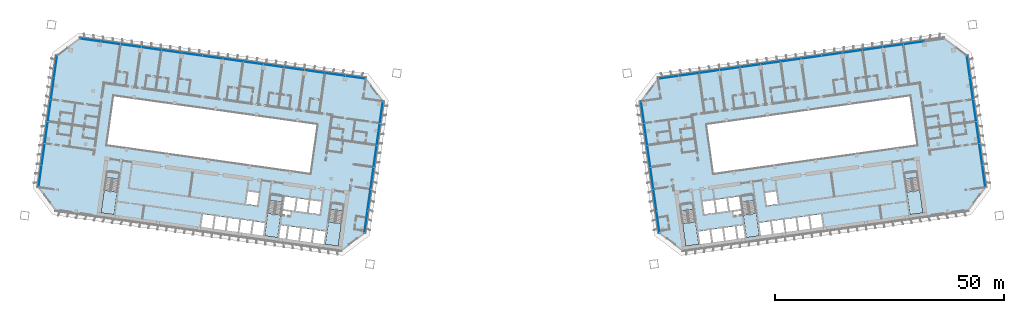
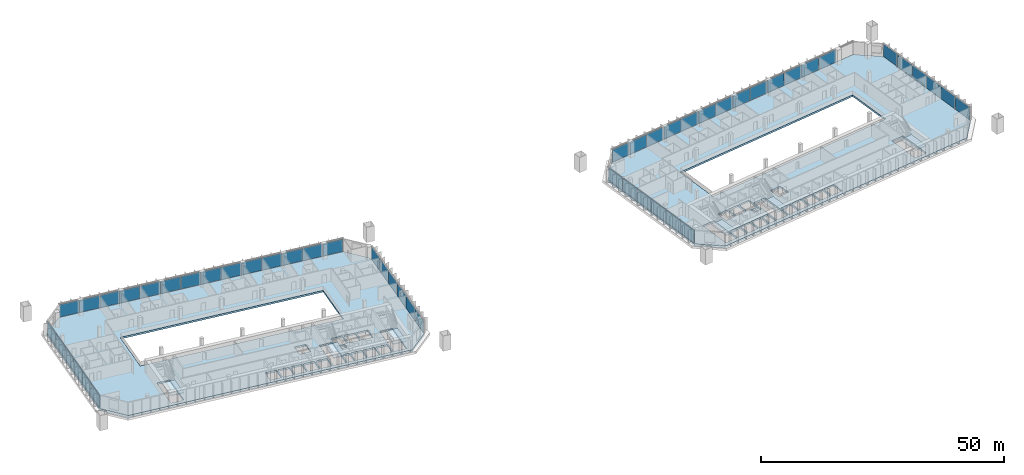
# One storey, part 12 of 24: 51 plates, 8 slabs, 12 elements without a shape of their own.
"""IFC4 building model written with IfcOpenShell, lengths in metres."""

from ifc_helpers import new_model, si_unit, direction, frame, origin, origin_2d, place, context, subcontext, project, spatial, polyline, rectangle, outline, extrude, material, layer, layer_set, type_object, element, aggregate, save


model = new_model("IFC4")

# Units and contexts
model_context = context("Model", 3, precision=1e-05, world=origin(), true_north=direction((0.0, 1.0)))
body_context = subcontext(model_context, "Body", "Model", "MODEL_VIEW")
ifc_project = project(units=[si_unit("LENGTHUNIT", "METRE"), si_unit("AREAUNIT", "SQUARE_METRE"), si_unit("VOLUMEUNIT", "CUBIC_METRE"), si_unit("PLANEANGLEUNIT", "RADIAN"), si_unit("MASSUNIT", "GRAM", prefix="KILO")], contexts=[model_context])

# Site, building, storey
site_placement = place(None, origin())
site = spatial("IfcSite", under=ifc_project, at=site_placement, CompositionType="ELEMENT")
building_placement = place(site_placement, origin())
building = spatial("IfcBuilding", under=site, at=building_placement, Name="Mirante Cascada Hotel Towers", CompositionType="ELEMENT")
storey_placement = place(building_placement, frame((0.0, 0.0, 47.1)))
storey = spatial("IfcBuildingStorey", under=building, at=storey_placement, Name="L08", CompositionType="ELEMENT", Elevation=47.1)

# Curtain wall, plates
ifc_material_1 = material(Name="Aluminium mullion and transom frame with clear laminated glass", Category="aluminium")
curtain_wall_type_1 = type_object("IfcCurtainWallType", Name="Ribbon curtain wall ECW1", PredefinedType="NOTDEFINED", material=ifc_material_1)
curtain_wall_1_placement = place(storey_placement, origin())
curtain_wall_1 = element("IfcCurtainWall", 1, at=curtain_wall_1_placement, inside=storey, type_object=curtain_wall_type_1, Name="Front ribbon wall T1 L08", PredefinedType="NOTDEFINED")
ifc_material_2 = material(Name="Clear laminated glass", Category="glass")
ifc_layer_1 = layer(ifc_material_2, 0.036)
ifc_layer_set_1 = layer_set([ifc_layer_1], Name="ECW1 glass panel 36")
plate_type_1 = type_object("IfcPlateType", Name="ECW1 glass panel 36", PredefinedType="CURTAIN_PANEL", material=ifc_layer_set_1)
plate_1_placement = place(storey_placement, frame((-91.9184, 25.7373, 0.1), z_axis=(0.0, 0.0, 1.0), x_axis=(0.9902681, -0.1391731, 0.0)))
plate_1 = element("IfcPlate", 2, at=plate_1_placement, type_object=plate_type_1, Name="ECW1 panel 1", PredefinedType="CURTAIN_PANEL", context=body_context, shape_type="SweptSolid", body=[
    extrude(rectangle(XDim=4.3936, YDim=0.036, at=origin_2d()), origin(), (0.0, 0.0, 1.0), 3.15),
])
plate_2_placement = place(storey_placement, frame((-87.487, 25.1145, 0.1), z_axis=(0.0, 0.0, 1.0), x_axis=(0.9902681, -0.1391731, 0.0)))
plate_2 = element("IfcPlate", 3, at=plate_2_placement, type_object=plate_type_1, Name="ECW1 panel 2", PredefinedType="CURTAIN_PANEL", context=body_context, shape_type="SweptSolid", body=[
    extrude(rectangle(XDim=4.4261, YDim=0.036, at=origin_2d()), origin(), (0.0, 0.0, 1.0), 3.15),
])
plate_3_placement = place(storey_placement, frame((-83.0396, 24.4895, 0.1), z_axis=(0.0, 0.0, 1.0), x_axis=(0.9902681, -0.1391731, 0.0)))
plate_3 = element("IfcPlate", 4, at=plate_3_placement, type_object=plate_type_1, Name="ECW1 panel 3", PredefinedType="CURTAIN_PANEL", context=body_context, shape_type="SweptSolid", body=[
    extrude(rectangle(XDim=4.4261, YDim=0.036, at=origin_2d()), origin(), (0.0, 0.0, 1.0), 3.15),
])
plate_4_placement = place(storey_placement, frame((-78.5922, 23.8644, 0.1), z_axis=(0.0, 0.0, 1.0), x_axis=(0.9902681, -0.1391731, 0.0)))
plate_4 = element("IfcPlate", 5, at=plate_4_placement, type_object=plate_type_1, Name="ECW1 panel 4", PredefinedType="CURTAIN_PANEL", context=body_context, shape_type="SweptSolid", body=[
    extrude(rectangle(XDim=4.4261, YDim=0.036, at=origin_2d()), origin(), (0.0, 0.0, 1.0), 3.15),
])
plate_5_placement = place(storey_placement, frame((-74.1448, 23.2394, 0.1), z_axis=(0.0, 0.0, 1.0), x_axis=(0.9902681, -0.1391731, 0.0)))
plate_5 = element("IfcPlate", 6, at=plate_5_placement, type_object=plate_type_1, Name="ECW1 panel 5", PredefinedType="CURTAIN_PANEL", context=body_context, shape_type="SweptSolid", body=[
    extrude(rectangle(XDim=4.4261, YDim=0.036, at=origin_2d()), origin(), (0.0, 0.0, 1.0), 3.15),
])
plate_6_placement = place(storey_placement, frame((-69.6974, 22.6144, 0.1), z_axis=(0.0, 0.0, 1.0), x_axis=(0.9902681, -0.1391731, 0.0)))
plate_6 = element("IfcPlate", 7, at=plate_6_placement, type_object=plate_type_1, Name="ECW1 panel 6", PredefinedType="CURTAIN_PANEL", context=body_context, shape_type="SweptSolid", body=[
    extrude(rectangle(XDim=4.4261, YDim=0.036, at=origin_2d()), origin(), (0.0, 0.0, 1.0), 3.15),
])
plate_7_placement = place(storey_placement, frame((-65.2499, 21.9893, 0.1), z_axis=(0.0, 0.0, 1.0), x_axis=(0.9902681, -0.1391731, 0.0)))
plate_7 = element("IfcPlate", 8, at=plate_7_placement, type_object=plate_type_1, Name="ECW1 panel 7", PredefinedType="CURTAIN_PANEL", context=body_context, shape_type="SweptSolid", body=[
    extrude(rectangle(XDim=4.4261, YDim=0.036, at=origin_2d()), origin(), (0.0, 0.0, 1.0), 3.15),
])
plate_8_placement = place(storey_placement, frame((-60.8025, 21.3643, 0.1), z_axis=(0.0, 0.0, 1.0), x_axis=(0.9902681, -0.1391731, 0.0)))
plate_8 = element("IfcPlate", 9, at=plate_8_placement, type_object=plate_type_1, Name="ECW1 panel 8", PredefinedType="CURTAIN_PANEL", context=body_context, shape_type="SweptSolid", body=[
    extrude(rectangle(XDim=4.4261, YDim=0.036, at=origin_2d()), origin(), (0.0, 0.0, 1.0), 3.15),
])
plate_9_placement = place(storey_placement, frame((-56.3551, 20.7392, 0.1), z_axis=(0.0, 0.0, 1.0), x_axis=(0.9902681, -0.1391731, 0.0)))
plate_9 = element("IfcPlate", 10, at=plate_9_placement, type_object=plate_type_1, Name="ECW1 panel 9", PredefinedType="CURTAIN_PANEL", context=body_context, shape_type="SweptSolid", body=[
    extrude(rectangle(XDim=4.4261, YDim=0.036, at=origin_2d()), origin(), (0.0, 0.0, 1.0), 3.15),
])
plate_10_placement = place(storey_placement, frame((-51.9077, 20.1142, 0.1), z_axis=(0.0, 0.0, 1.0), x_axis=(0.9902681, -0.1391731, 0.0)))
plate_10 = element("IfcPlate", 11, at=plate_10_placement, type_object=plate_type_1, Name="ECW1 panel 10", PredefinedType="CURTAIN_PANEL", context=body_context, shape_type="SweptSolid", body=[
    extrude(rectangle(XDim=4.4261, YDim=0.036, at=origin_2d()), origin(), (0.0, 0.0, 1.0), 3.15),
])
plate_11_placement = place(storey_placement, frame((-47.4603, 19.4891, 0.1), z_axis=(0.0, 0.0, 1.0), x_axis=(0.9902681, -0.1391731, 0.0)))
plate_11 = element("IfcPlate", 12, at=plate_11_placement, type_object=plate_type_1, Name="ECW1 panel 11", PredefinedType="CURTAIN_PANEL", context=body_context, shape_type="SweptSolid", body=[
    extrude(rectangle(XDim=4.4261, YDim=0.036, at=origin_2d()), origin(), (0.0, 0.0, 1.0), 3.15),
])
plate_12_placement = place(storey_placement, frame((-43.0129, 18.8641, 0.1), z_axis=(0.0, 0.0, 1.0), x_axis=(0.9902681, -0.1391731, 0.0)))
plate_12 = element("IfcPlate", 13, at=plate_12_placement, type_object=plate_type_1, Name="ECW1 panel 12", PredefinedType="CURTAIN_PANEL", context=body_context, shape_type="SweptSolid", body=[
    extrude(rectangle(XDim=4.4261, YDim=0.036, at=origin_2d()), origin(), (0.0, 0.0, 1.0), 3.15),
])
plate_13_placement = place(storey_placement, frame((-38.5654, 18.239, 0.1), z_axis=(0.0, 0.0, 1.0), x_axis=(0.9902681, -0.1391731, 0.0)))
plate_13 = element("IfcPlate", 14, at=plate_13_placement, type_object=plate_type_1, Name="ECW1 panel 13", PredefinedType="CURTAIN_PANEL", context=body_context, shape_type="SweptSolid", body=[
    extrude(rectangle(XDim=4.4261, YDim=0.036, at=origin_2d()), origin(), (0.0, 0.0, 1.0), 3.15),
])
plate_14_placement = place(storey_placement, frame((-34.1341, 17.6163, 0.1), z_axis=(0.0, 0.0, 1.0), x_axis=(0.9902681, -0.1391731, 0.0)))
plate_14 = element("IfcPlate", 15, at=plate_14_placement, type_object=plate_type_1, Name="ECW1 panel 14", PredefinedType="CURTAIN_PANEL", context=body_context, shape_type="SweptSolid", body=[
    extrude(rectangle(XDim=4.3936, YDim=0.036, at=origin_2d()), origin(), (0.0, 0.0, 1.0), 3.15),
])
aggregate(curtain_wall_1, [plate_1, plate_2, plate_3, plate_4, plate_5, plate_6, plate_7, plate_8, plate_9, plate_10, plate_11, plate_12, plate_13, plate_14])

curtain_wall_2_placement = place(storey_placement, origin())
curtain_wall_2 = element("IfcCurtainWall", 16, at=curtain_wall_2_placement, inside=storey, type_object=curtain_wall_type_1, Name="Front ribbon wall T2 L08", PredefinedType="NOTDEFINED")
plate_15_placement = place(storey_placement, frame((87.487, 25.1145, 0.1), z_axis=(0.0, 0.0, 1.0), x_axis=(-0.9902681, -0.1391731, 0.0)))
plate_15 = element("IfcPlate", 17, at=plate_15_placement, type_object=plate_type_1, Name="ECW1 panel 2", PredefinedType="CURTAIN_PANEL", context=body_context, shape_type="SweptSolid", body=[
    extrude(rectangle(XDim=4.4261, YDim=0.036, at=origin_2d()), origin(), (0.0, 0.0, 1.0), 3.15),
])
plate_16_placement = place(storey_placement, frame((83.0396, 24.4895, 0.1), z_axis=(0.0, 0.0, 1.0), x_axis=(-0.9902681, -0.1391731, 0.0)))
plate_16 = element("IfcPlate", 18, at=plate_16_placement, type_object=plate_type_1, Name="ECW1 panel 3", PredefinedType="CURTAIN_PANEL", context=body_context, shape_type="SweptSolid", body=[
    extrude(rectangle(XDim=4.4261, YDim=0.036, at=origin_2d()), origin(), (0.0, 0.0, 1.0), 3.15),
])
plate_17_placement = place(storey_placement, frame((78.5922, 23.8644, 0.1), z_axis=(0.0, 0.0, 1.0), x_axis=(-0.9902681, -0.1391731, 0.0)))
plate_17 = element("IfcPlate", 19, at=plate_17_placement, type_object=plate_type_1, Name="ECW1 panel 4", PredefinedType="CURTAIN_PANEL", context=body_context, shape_type="SweptSolid", body=[
    extrude(rectangle(XDim=4.4261, YDim=0.036, at=origin_2d()), origin(), (0.0, 0.0, 1.0), 3.15),
])
plate_18_placement = place(storey_placement, frame((74.1448, 23.2394, 0.1), z_axis=(0.0, 0.0, 1.0), x_axis=(-0.9902681, -0.1391731, 0.0)))
plate_18 = element("IfcPlate", 20, at=plate_18_placement, type_object=plate_type_1, Name="ECW1 panel 5", PredefinedType="CURTAIN_PANEL", context=body_context, shape_type="SweptSolid", body=[
    extrude(rectangle(XDim=4.4261, YDim=0.036, at=origin_2d()), origin(), (0.0, 0.0, 1.0), 3.15),
])
plate_19_placement = place(storey_placement, frame((69.6974, 22.6144, 0.1), z_axis=(0.0, 0.0, 1.0), x_axis=(-0.9902681, -0.1391731, 0.0)))
plate_19 = element("IfcPlate", 21, at=plate_19_placement, type_object=plate_type_1, Name="ECW1 panel 6", PredefinedType="CURTAIN_PANEL", context=body_context, shape_type="SweptSolid", body=[
    extrude(rectangle(XDim=4.4261, YDim=0.036, at=origin_2d()), origin(), (0.0, 0.0, 1.0), 3.15),
])
plate_20_placement = place(storey_placement, frame((65.2499, 21.9893, 0.1), z_axis=(0.0, 0.0, 1.0), x_axis=(-0.9902681, -0.1391731, 0.0)))
plate_20 = element("IfcPlate", 22, at=plate_20_placement, type_object=plate_type_1, Name="ECW1 panel 7", PredefinedType="CURTAIN_PANEL", context=body_context, shape_type="SweptSolid", body=[
    extrude(rectangle(XDim=4.4261, YDim=0.036, at=origin_2d()), origin(), (0.0, 0.0, 1.0), 3.15),
])
plate_21_placement = place(storey_placement, frame((60.8025, 21.3643, 0.1), z_axis=(0.0, 0.0, 1.0), x_axis=(-0.9902681, -0.1391731, 0.0)))
plate_21 = element("IfcPlate", 23, at=plate_21_placement, type_object=plate_type_1, Name="ECW1 panel 8", PredefinedType="CURTAIN_PANEL", context=body_context, shape_type="SweptSolid", body=[
    extrude(rectangle(XDim=4.4261, YDim=0.036, at=origin_2d()), origin(), (0.0, 0.0, 1.0), 3.15),
])
plate_22_placement = place(storey_placement, frame((56.3551, 20.7392, 0.1), z_axis=(0.0, 0.0, 1.0), x_axis=(-0.9902681, -0.1391731, 0.0)))
plate_22 = element("IfcPlate", 24, at=plate_22_placement, type_object=plate_type_1, Name="ECW1 panel 9", PredefinedType="CURTAIN_PANEL", context=body_context, shape_type="SweptSolid", body=[
    extrude(rectangle(XDim=4.4261, YDim=0.036, at=origin_2d()), origin(), (0.0, 0.0, 1.0), 3.15),
])
plate_23_placement = place(storey_placement, frame((51.9077, 20.1142, 0.1), z_axis=(0.0, 0.0, 1.0), x_axis=(-0.9902681, -0.1391731, 0.0)))
plate_23 = element("IfcPlate", 25, at=plate_23_placement, type_object=plate_type_1, Name="ECW1 panel 10", PredefinedType="CURTAIN_PANEL", context=body_context, shape_type="SweptSolid", body=[
    extrude(rectangle(XDim=4.4261, YDim=0.036, at=origin_2d()), origin(), (0.0, 0.0, 1.0), 3.15),
])
plate_24_placement = place(storey_placement, frame((47.4603, 19.4891, 0.1), z_axis=(0.0, 0.0, 1.0), x_axis=(-0.9902681, -0.1391731, 0.0)))
plate_24 = element("IfcPlate", 26, at=plate_24_placement, type_object=plate_type_1, Name="ECW1 panel 11", PredefinedType="CURTAIN_PANEL", context=body_context, shape_type="SweptSolid", body=[
    extrude(rectangle(XDim=4.4261, YDim=0.036, at=origin_2d()), origin(), (0.0, 0.0, 1.0), 3.15),
])
plate_25_placement = place(storey_placement, frame((43.0129, 18.8641, 0.1), z_axis=(0.0, 0.0, 1.0), x_axis=(-0.9902681, -0.1391731, 0.0)))
plate_25 = element("IfcPlate", 27, at=plate_25_placement, type_object=plate_type_1, Name="ECW1 panel 12", PredefinedType="CURTAIN_PANEL", context=body_context, shape_type="SweptSolid", body=[
    extrude(rectangle(XDim=4.4261, YDim=0.036, at=origin_2d()), origin(), (0.0, 0.0, 1.0), 3.15),
])
plate_26_placement = place(storey_placement, frame((38.5654, 18.239, 0.1), z_axis=(0.0, 0.0, 1.0), x_axis=(-0.9902681, -0.1391731, 0.0)))
plate_26 = element("IfcPlate", 28, at=plate_26_placement, type_object=plate_type_1, Name="ECW1 panel 13", PredefinedType="CURTAIN_PANEL", context=body_context, shape_type="SweptSolid", body=[
    extrude(rectangle(XDim=4.4261, YDim=0.036, at=origin_2d()), origin(), (0.0, 0.0, 1.0), 3.15),
])
plate_27_placement = place(storey_placement, frame((34.1341, 17.6163, 0.1), z_axis=(0.0, 0.0, 1.0), x_axis=(-0.9902681, -0.1391731, 0.0)))
plate_27 = element("IfcPlate", 29, at=plate_27_placement, type_object=plate_type_1, Name="ECW1 panel 14", PredefinedType="CURTAIN_PANEL", context=body_context, shape_type="SweptSolid", body=[
    extrude(rectangle(XDim=4.3936, YDim=0.036, at=origin_2d()), origin(), (0.0, 0.0, 1.0), 3.15),
])
aggregate(curtain_wall_2, [plate_15, plate_16, plate_17, plate_18, plate_19, plate_20, plate_21, plate_22, plate_23, plate_24, plate_25, plate_26, plate_27])

ifc_material_3 = material(Name="Aluminium mullion and transom frame with clear laminated glass", Category="aluminium")
curtain_wall_type_2 = type_object("IfcCurtainWallType", Name="End ribbon curtain wall ECW2", PredefinedType="NOTDEFINED", material=ifc_material_3)
curtain_wall_3_placement = place(storey_placement, origin())
curtain_wall_3 = element("IfcCurtainWall", 30, at=curtain_wall_3_placement, inside=storey, type_object=curtain_wall_type_2, Name="Inner end wall T1 L08", PredefinedType="NOTDEFINED")
ifc_material_4 = material(Name="Clear laminated glass", Category="glass")
ifc_layer_2 = layer(ifc_material_4, 0.034)
ifc_layer_set_2 = layer_set([ifc_layer_2], Name="ECW2 glass panel 34")
plate_type_2 = type_object("IfcPlateType", Name="ECW2 glass panel 34", PredefinedType="CURTAIN_PANEL", material=ifc_layer_set_2)
plate_28_placement = place(storey_placement, frame((-28.4763, 9.9193, 0.1), z_axis=(0.0, 0.0, 1.0), x_axis=(-0.1391731, -0.9902681, 0.0)))
plate_28 = element("IfcPlate", 31, at=plate_28_placement, type_object=plate_type_2, Name="ECW2 panel 1", PredefinedType="CURTAIN_PANEL", context=body_context, shape_type="SweptSolid", body=[
    extrude(rectangle(XDim=4.7151, YDim=0.034, at=origin_2d()), origin(), (0.0, 0.0, 1.0), 3.15),
])
plate_29_placement = place(storey_placement, frame((-29.1439, 5.1696, 0.1), z_axis=(0.0, 0.0, 1.0), x_axis=(-0.1391731, -0.9902681, 0.0)))
plate_29 = element("IfcPlate", 32, at=plate_29_placement, type_object=plate_type_2, Name="ECW2 panel 2", PredefinedType="CURTAIN_PANEL", context=body_context, shape_type="SweptSolid", body=[
    extrude(rectangle(XDim=4.7476, YDim=0.034, at=origin_2d()), origin(), (0.0, 0.0, 1.0), 3.15),
])
plate_30_placement = place(storey_placement, frame((-29.8136, 0.4038, 0.1), z_axis=(0.0, 0.0, 1.0), x_axis=(-0.1391731, -0.9902681, 0.0)))
plate_30 = element("IfcPlate", 33, at=plate_30_placement, type_object=plate_type_2, Name="ECW2 panel 3", PredefinedType="CURTAIN_PANEL", context=body_context, shape_type="SweptSolid", body=[
    extrude(rectangle(XDim=4.7476, YDim=0.034, at=origin_2d()), origin(), (0.0, 0.0, 1.0), 3.15),
])
plate_31_placement = place(storey_placement, frame((-30.4834, -4.362, 0.1), z_axis=(0.0, 0.0, 1.0), x_axis=(-0.1391731, -0.9902681, 0.0)))
plate_31 = element("IfcPlate", 34, at=plate_31_placement, type_object=plate_type_2, Name="ECW2 panel 4", PredefinedType="CURTAIN_PANEL", context=body_context, shape_type="SweptSolid", body=[
    extrude(rectangle(XDim=4.7476, YDim=0.034, at=origin_2d()), origin(), (0.0, 0.0, 1.0), 3.15),
])
plate_32_placement = place(storey_placement, frame((-31.1532, -9.1278, 0.1), z_axis=(0.0, 0.0, 1.0), x_axis=(-0.1391731, -0.9902681, 0.0)))
plate_32 = element("IfcPlate", 35, at=plate_32_placement, type_object=plate_type_2, Name="ECW2 panel 5", PredefinedType="CURTAIN_PANEL", context=body_context, shape_type="SweptSolid", body=[
    extrude(rectangle(XDim=4.7476, YDim=0.034, at=origin_2d()), origin(), (0.0, 0.0, 1.0), 3.15),
])
plate_33_placement = place(storey_placement, frame((-31.8207, -13.8775, 0.1), z_axis=(0.0, 0.0, 1.0), x_axis=(-0.1391731, -0.9902681, 0.0)))
plate_33 = element("IfcPlate", 36, at=plate_33_placement, type_object=plate_type_2, Name="ECW2 panel 6", PredefinedType="CURTAIN_PANEL", context=body_context, shape_type="SweptSolid", body=[
    extrude(rectangle(XDim=4.7151, YDim=0.034, at=origin_2d()), origin(), (0.0, 0.0, 1.0), 3.15),
])
aggregate(curtain_wall_3, [plate_28, plate_29, plate_30, plate_31, plate_32, plate_33])

curtain_wall_4_placement = place(storey_placement, origin())
curtain_wall_4 = element("IfcCurtainWall", 37, at=curtain_wall_4_placement, inside=storey, type_object=curtain_wall_type_2, Name="Outer end wall T1 L08", PredefinedType="NOTDEFINED")
plate_34_placement = place(storey_placement, frame((-102.823, -3.8988, 0.1), z_axis=(0.0, 0.0, 1.0), x_axis=(0.1391731, 0.9902681, 0.0)))
plate_34 = element("IfcPlate", 38, at=plate_34_placement, type_object=plate_type_2, Name="ECW2 panel 1", PredefinedType="CURTAIN_PANEL", context=body_context, shape_type="SweptSolid", body=[
    extrude(rectangle(XDim=4.7151, YDim=0.034, at=origin_2d()), origin(), (0.0, 0.0, 1.0), 3.15),
])
plate_35_placement = place(storey_placement, frame((-102.1554, 0.8509, 0.1), z_axis=(0.0, 0.0, 1.0), x_axis=(0.1391731, 0.9902681, 0.0)))
plate_35 = element("IfcPlate", 39, at=plate_35_placement, type_object=plate_type_2, Name="ECW2 panel 2", PredefinedType="CURTAIN_PANEL", context=body_context, shape_type="SweptSolid", body=[
    extrude(rectangle(XDim=4.7476, YDim=0.034, at=origin_2d()), origin(), (0.0, 0.0, 1.0), 3.15),
])
plate_36_placement = place(storey_placement, frame((-101.4857, 5.6167, 0.1), z_axis=(0.0, 0.0, 1.0), x_axis=(0.1391731, 0.9902681, 0.0)))
plate_36 = element("IfcPlate", 40, at=plate_36_placement, type_object=plate_type_2, Name="ECW2 panel 3", PredefinedType="CURTAIN_PANEL", context=body_context, shape_type="SweptSolid", body=[
    extrude(rectangle(XDim=4.7476, YDim=0.034, at=origin_2d()), origin(), (0.0, 0.0, 1.0), 3.15),
])
plate_37_placement = place(storey_placement, frame((-100.8159, 10.3825, 0.1), z_axis=(0.0, 0.0, 1.0), x_axis=(0.1391731, 0.9902681, 0.0)))
plate_37 = element("IfcPlate", 41, at=plate_37_placement, type_object=plate_type_2, Name="ECW2 panel 4", PredefinedType="CURTAIN_PANEL", context=body_context, shape_type="SweptSolid", body=[
    extrude(rectangle(XDim=4.7476, YDim=0.034, at=origin_2d()), origin(), (0.0, 0.0, 1.0), 3.15),
])
plate_38_placement = place(storey_placement, frame((-100.1461, 15.1483, 0.1), z_axis=(0.0, 0.0, 1.0), x_axis=(0.1391731, 0.9902681, 0.0)))
plate_38 = element("IfcPlate", 42, at=plate_38_placement, type_object=plate_type_2, Name="ECW2 panel 5", PredefinedType="CURTAIN_PANEL", context=body_context, shape_type="SweptSolid", body=[
    extrude(rectangle(XDim=4.7476, YDim=0.034, at=origin_2d()), origin(), (0.0, 0.0, 1.0), 3.15),
])
plate_39_placement = place(storey_placement, frame((-99.4786, 19.898, 0.1), z_axis=(0.0, 0.0, 1.0), x_axis=(0.1391731, 0.9902681, 0.0)))
plate_39 = element("IfcPlate", 43, at=plate_39_placement, type_object=plate_type_2, Name="ECW2 panel 6", PredefinedType="CURTAIN_PANEL", context=body_context, shape_type="SweptSolid", body=[
    extrude(rectangle(XDim=4.7151, YDim=0.034, at=origin_2d()), origin(), (0.0, 0.0, 1.0), 3.15),
])
aggregate(curtain_wall_4, [plate_34, plate_35, plate_36, plate_37, plate_38, plate_39])

curtain_wall_5_placement = place(storey_placement, origin())
curtain_wall_5 = element("IfcCurtainWall", 44, at=curtain_wall_5_placement, inside=storey, type_object=curtain_wall_type_2, Name="Inner end wall T2 L08", PredefinedType="NOTDEFINED")
plate_40_placement = place(storey_placement, frame((28.4763, 9.9193, 0.1), z_axis=(0.0, 0.0, 1.0), x_axis=(0.1391731, -0.9902681, 0.0)))
plate_40 = element("IfcPlate", 45, at=plate_40_placement, type_object=plate_type_2, Name="ECW2 panel 1", PredefinedType="CURTAIN_PANEL", context=body_context, shape_type="SweptSolid", body=[
    extrude(rectangle(XDim=4.7151, YDim=0.034, at=origin_2d()), origin(), (0.0, 0.0, 1.0), 3.15),
])
plate_41_placement = place(storey_placement, frame((29.1439, 5.1696, 0.1), z_axis=(0.0, 0.0, 1.0), x_axis=(0.1391731, -0.9902681, 0.0)))
plate_41 = element("IfcPlate", 46, at=plate_41_placement, type_object=plate_type_2, Name="ECW2 panel 2", PredefinedType="CURTAIN_PANEL", context=body_context, shape_type="SweptSolid", body=[
    extrude(rectangle(XDim=4.7476, YDim=0.034, at=origin_2d()), origin(), (0.0, 0.0, 1.0), 3.15),
])
plate_42_placement = place(storey_placement, frame((29.8136, 0.4038, 0.1), z_axis=(0.0, 0.0, 1.0), x_axis=(0.1391731, -0.9902681, 0.0)))
plate_42 = element("IfcPlate", 47, at=plate_42_placement, type_object=plate_type_2, Name="ECW2 panel 3", PredefinedType="CURTAIN_PANEL", context=body_context, shape_type="SweptSolid", body=[
    extrude(rectangle(XDim=4.7476, YDim=0.034, at=origin_2d()), origin(), (0.0, 0.0, 1.0), 3.15),
])
plate_43_placement = place(storey_placement, frame((30.4834, -4.362, 0.1), z_axis=(0.0, 0.0, 1.0), x_axis=(0.1391731, -0.9902681, 0.0)))
plate_43 = element("IfcPlate", 48, at=plate_43_placement, type_object=plate_type_2, Name="ECW2 panel 4", PredefinedType="CURTAIN_PANEL", context=body_context, shape_type="SweptSolid", body=[
    extrude(rectangle(XDim=4.7476, YDim=0.034, at=origin_2d()), origin(), (0.0, 0.0, 1.0), 3.15),
])
plate_44_placement = place(storey_placement, frame((31.1532, -9.1278, 0.1), z_axis=(0.0, 0.0, 1.0), x_axis=(0.1391731, -0.9902681, 0.0)))
plate_44 = element("IfcPlate", 49, at=plate_44_placement, type_object=plate_type_2, Name="ECW2 panel 5", PredefinedType="CURTAIN_PANEL", context=body_context, shape_type="SweptSolid", body=[
    extrude(rectangle(XDim=4.7476, YDim=0.034, at=origin_2d()), origin(), (0.0, 0.0, 1.0), 3.15),
])
plate_45_placement = place(storey_placement, frame((31.8207, -13.8775, 0.1), z_axis=(0.0, 0.0, 1.0), x_axis=(0.1391731, -0.9902681, 0.0)))
plate_45 = element("IfcPlate", 50, at=plate_45_placement, type_object=plate_type_2, Name="ECW2 panel 6", PredefinedType="CURTAIN_PANEL", context=body_context, shape_type="SweptSolid", body=[
    extrude(rectangle(XDim=4.7151, YDim=0.034, at=origin_2d()), origin(), (0.0, 0.0, 1.0), 3.15),
])
aggregate(curtain_wall_5, [plate_40, plate_41, plate_42, plate_43, plate_44, plate_45])

curtain_wall_6_placement = place(storey_placement, origin())
curtain_wall_6 = element("IfcCurtainWall", 51, at=curtain_wall_6_placement, inside=storey, type_object=curtain_wall_type_2, Name="Outer end wall T2 L08", PredefinedType="NOTDEFINED")
plate_46_placement = place(storey_placement, frame((102.823, -3.8988, 0.1), z_axis=(0.0, 0.0, 1.0), x_axis=(-0.1391731, 0.9902681, 0.0)))
plate_46 = element("IfcPlate", 52, at=plate_46_placement, type_object=plate_type_2, Name="ECW2 panel 1", PredefinedType="CURTAIN_PANEL", context=body_context, shape_type="SweptSolid", body=[
    extrude(rectangle(XDim=4.7151, YDim=0.034, at=origin_2d()), origin(), (0.0, 0.0, 1.0), 3.15),
])
plate_47_placement = place(storey_placement, frame((102.1554, 0.8509, 0.1), z_axis=(0.0, 0.0, 1.0), x_axis=(-0.1391731, 0.9902681, 0.0)))
plate_47 = element("IfcPlate", 53, at=plate_47_placement, type_object=plate_type_2, Name="ECW2 panel 2", PredefinedType="CURTAIN_PANEL", context=body_context, shape_type="SweptSolid", body=[
    extrude(rectangle(XDim=4.7476, YDim=0.034, at=origin_2d()), origin(), (0.0, 0.0, 1.0), 3.15),
])
plate_48_placement = place(storey_placement, frame((101.4857, 5.6167, 0.1), z_axis=(0.0, 0.0, 1.0), x_axis=(-0.1391731, 0.9902681, 0.0)))
plate_48 = element("IfcPlate", 54, at=plate_48_placement, type_object=plate_type_2, Name="ECW2 panel 3", PredefinedType="CURTAIN_PANEL", context=body_context, shape_type="SweptSolid", body=[
    extrude(rectangle(XDim=4.7476, YDim=0.034, at=origin_2d()), origin(), (0.0, 0.0, 1.0), 3.15),
])
plate_49_placement = place(storey_placement, frame((100.8159, 10.3825, 0.1), z_axis=(0.0, 0.0, 1.0), x_axis=(-0.1391731, 0.9902681, 0.0)))
plate_49 = element("IfcPlate", 55, at=plate_49_placement, type_object=plate_type_2, Name="ECW2 panel 4", PredefinedType="CURTAIN_PANEL", context=body_context, shape_type="SweptSolid", body=[
    extrude(rectangle(XDim=4.7476, YDim=0.034, at=origin_2d()), origin(), (0.0, 0.0, 1.0), 3.15),
])
plate_50_placement = place(storey_placement, frame((100.1461, 15.1483, 0.1), z_axis=(0.0, 0.0, 1.0), x_axis=(-0.1391731, 0.9902681, 0.0)))
plate_50 = element("IfcPlate", 56, at=plate_50_placement, type_object=plate_type_2, Name="ECW2 panel 5", PredefinedType="CURTAIN_PANEL", context=body_context, shape_type="SweptSolid", body=[
    extrude(rectangle(XDim=4.7476, YDim=0.034, at=origin_2d()), origin(), (0.0, 0.0, 1.0), 3.15),
])
plate_51_placement = place(storey_placement, frame((99.4786, 19.898, 0.1), z_axis=(0.0, 0.0, 1.0), x_axis=(-0.1391731, 0.9902681, 0.0)))
plate_51 = element("IfcPlate", 57, at=plate_51_placement, type_object=plate_type_2, Name="ECW2 panel 6", PredefinedType="CURTAIN_PANEL", context=body_context, shape_type="SweptSolid", body=[
    extrude(rectangle(XDim=4.7151, YDim=0.034, at=origin_2d()), origin(), (0.0, 0.0, 1.0), 3.15),
])
aggregate(curtain_wall_6, [plate_46, plate_47, plate_48, plate_49, plate_50, plate_51])

# Stair, slab
ifc_material_5 = material(Name="Concrete C35/45", Category="concrete")
stair_type = type_object("IfcStairType", Name="Exit stair half-turn 1350 concrete C35/45", PredefinedType="HALF_TURN_STAIR", material=ifc_material_5)
stair_1_placement = place(storey_placement, origin())
stair_1 = element("IfcStair", 58, at=stair_1_placement, inside=storey, type_object=stair_type, Name="L08 Exit stair A", PredefinedType="HALF_TURN_STAIR")
ifc_material_6 = material(Name="Concrete C35/45", Category="concrete")
ifc_layer_3 = layer(ifc_material_6, 0.2)
ifc_layer_set_3 = layer_set([ifc_layer_3], Name="Exit stair landing 200 concrete C35/45")
slab_type_1 = type_object("IfcSlabType", Name="Exit stair landing 200 concrete C35/45", PredefinedType="LANDING", material=ifc_layer_set_3)
slab_1_placement = place(storey_placement, frame((0.0, 0.0, 1.7)))
slab_1 = element("IfcSlab", 59, at=slab_1_placement, type_object=slab_type_1, Name="ST1-A landing 1", PredefinedType="LANDING", context=body_context, shape_type="SweptSolid", body=[
    extrude(outline(polyline([(-39.9987, -13.8659), (-40.6887, -18.7757), (-37.8665, -19.1723), (-37.1765, -14.2626), (-39.9987, -13.8659)])), origin(), (0.0, 0.0, 1.0), 0.2),
])
aggregate(stair_1, [slab_1])

stair_2_placement = place(storey_placement, origin())
stair_2 = element("IfcStair", 60, at=stair_2_placement, inside=storey, type_object=stair_type, Name="L08 Exit stair B", PredefinedType="HALF_TURN_STAIR")
slab_2_placement = place(storey_placement, frame((0.0, 0.0, 1.7)))
slab_2 = element("IfcSlab", 61, at=slab_2_placement, type_object=slab_type_1, Name="ST1-B landing 1", PredefinedType="LANDING", context=body_context, shape_type="SweptSolid", body=[
    extrude(outline(polyline([(-53.2188, -12.008), (-53.9088, -16.9177), (-51.0866, -17.3144), (-50.3965, -12.4046), (-53.2188, -12.008)])), origin(), (0.0, 0.0, 1.0), 0.2),
])
aggregate(stair_2, [slab_2])

stair_3_placement = place(storey_placement, origin())
stair_3 = element("IfcStair", 62, at=stair_3_placement, inside=storey, type_object=stair_type, Name="L08 Exit stair C", PredefinedType="HALF_TURN_STAIR")
slab_3_placement = place(storey_placement, frame((0.0, 0.0, 1.7)))
slab_3 = element("IfcSlab", 63, at=slab_3_placement, type_object=slab_type_1, Name="ST1-C landing 1", PredefinedType="LANDING", context=body_context, shape_type="SweptSolid", body=[
    extrude(outline(polyline([(-88.8685, -6.9977), (-89.5585, -11.9075), (-86.7362, -12.3041), (-86.0462, -7.3944), (-88.8685, -6.9977)])), origin(), (0.0, 0.0, 1.0), 0.2),
])
aggregate(stair_3, [slab_3])

stair_4_placement = place(storey_placement, origin())
stair_4 = element("IfcStair", 64, at=stair_4_placement, inside=storey, type_object=stair_type, Name="L08 Exit stair A", PredefinedType="HALF_TURN_STAIR")
slab_4_placement = place(storey_placement, frame((0.0, 0.0, 1.7)))
slab_4 = element("IfcSlab", 65, at=slab_4_placement, type_object=slab_type_1, Name="ST2-A landing 1", PredefinedType="LANDING", context=body_context, shape_type="SweptSolid", body=[
    extrude(outline(polyline([(37.1765, -14.2626), (37.8665, -19.1723), (40.6887, -18.7757), (39.9987, -13.8659), (37.1765, -14.2626)])), origin(), (0.0, 0.0, 1.0), 0.2),
])
aggregate(stair_4, [slab_4])

stair_5_placement = place(storey_placement, origin())
stair_5 = element("IfcStair", 66, at=stair_5_placement, inside=storey, type_object=stair_type, Name="L08 Exit stair B", PredefinedType="HALF_TURN_STAIR")
slab_5_placement = place(storey_placement, frame((0.0, 0.0, 1.7)))
slab_5 = element("IfcSlab", 67, at=slab_5_placement, type_object=slab_type_1, Name="ST2-B landing 1", PredefinedType="LANDING", context=body_context, shape_type="SweptSolid", body=[
    extrude(outline(polyline([(50.3965, -12.4046), (51.0866, -17.3144), (53.9088, -16.9177), (53.2188, -12.008), (50.3965, -12.4046)])), origin(), (0.0, 0.0, 1.0), 0.2),
])
aggregate(stair_5, [slab_5])

stair_6_placement = place(storey_placement, origin())
stair_6 = element("IfcStair", 68, at=stair_6_placement, inside=storey, type_object=stair_type, Name="L08 Exit stair C", PredefinedType="HALF_TURN_STAIR")
slab_6_placement = place(storey_placement, frame((0.0, 0.0, 1.7)))
slab_6 = element("IfcSlab", 69, at=slab_6_placement, type_object=slab_type_1, Name="ST2-C landing 1", PredefinedType="LANDING", context=body_context, shape_type="SweptSolid", body=[
    extrude(outline(polyline([(86.0462, -7.3944), (86.7362, -12.3041), (89.5585, -11.9075), (88.8685, -6.9977), (86.0462, -7.3944)])), origin(), (0.0, 0.0, 1.0), 0.2),
])
aggregate(stair_6, [slab_6])

# Slabs
ifc_material_7 = material(Name="Concrete C40/50", Category="concrete")
ifc_layer_4 = layer(ifc_material_7, 0.45)
ifc_layer_set_4 = layer_set([ifc_layer_4], Name="Post-tensioned flat plate 450 Concrete C40/50")
slab_type_2 = type_object("IfcSlabType", Name="Post-tensioned flat plate 450 Concrete C40/50", PredefinedType="FLOOR", material=ifc_layer_set_4)
slab_7_placement = place(storey_placement, frame((0.0, 0.0, -0.45)))
element("IfcSlab", 70, at=slab_7_placement, inside=storey, type_object=slab_type_2, Name="Floor T1 L08", PredefinedType="FLOOR", context=body_context, shape_type="SweptSolid", body=[
    extrude(outline(polyline([(-32.018, -16.3589), (-27.982, 12.3589), (-31.8119, 17.4414), (-94.1988, 26.2093), (-99.2813, 22.3794), (-103.3173, -6.3384), (-99.4874, -11.4209), (-37.1005, -20.1888), (-32.018, -16.3589)]), holes=[polyline([(-43.0718, -15.6132), (-40.5961, -15.9612), (-40.9858, -18.7339), (-43.4615, -18.386), (-43.0718, -15.6132)]), polyline([(-45.8446, -15.2236), (-43.3689, -15.5715), (-43.7586, -18.3442), (-46.2342, -17.9963), (-45.8446, -15.2236)]), polyline([(-48.6173, -14.8339), (-46.1416, -15.1818), (-46.5313, -17.9546), (-49.007, -17.6066), (-48.6173, -14.8339)]), polyline([(-50.3998, -14.5834), (-48.9144, -14.7921), (-49.3041, -17.5649), (-50.7895, -17.3561), (-50.3998, -14.5834)]), polyline([(-36.7887, -11.5037), (-37.8665, -19.1723), (-40.6887, -18.7757), (-39.611, -11.107), (-36.7887, -11.5037)]), polyline([(-49.9544, -11.4145), (-48.1472, -11.6685), (-48.2829, -12.634), (-50.0901, -12.38), (-49.9544, -11.4145)]), polyline([(-43.9775, -9.124), (-41.5018, -9.472), (-41.8915, -12.2447), (-44.3672, -11.8968), (-43.9775, -9.124)]), polyline([(-47.1399, -11.5071), (-46.7503, -8.7344), (-44.2746, -9.0823), (-44.6643, -11.855), (-47.1399, -11.5071)]), polyline([(-49.9127, -11.1174), (-49.523, -8.3447), (-47.0473, -8.6926), (-47.437, -11.4654), (-49.9127, -11.1174)]), polyline([(-56.2919, -13.7553), (-53.8162, -14.1032), (-54.2059, -16.876), (-56.6816, -16.528), (-56.2919, -13.7553)]), polyline([(-59.0646, -13.3656), (-56.589, -13.7135), (-56.9787, -16.4863), (-59.4543, -16.1383), (-59.0646, -13.3656)]), polyline([(-61.8374, -12.9759), (-59.3617, -13.3238), (-59.7514, -16.0966), (-62.2271, -15.7487), (-61.8374, -12.9759)]), polyline([(-64.6101, -12.5862), (-62.1345, -12.9342), (-62.5242, -15.7069), (-64.9998, -15.359), (-64.6101, -12.5862)]), polyline([(-67.3829, -12.1965), (-64.9072, -12.5445), (-65.2969, -15.3172), (-67.7726, -14.9693), (-67.3829, -12.1965)]), polyline([(-50.0088, -9.6457), (-51.0866, -17.3144), (-53.9088, -16.9177), (-52.8311, -9.2491), (-50.0088, -9.6457)]), polyline([(-85.6585, -4.6355), (-86.7362, -12.3041), (-89.5585, -11.9075), (-88.4807, -4.2388), (-85.6585, -4.6355)]), polyline([(-57.9834, -9.9832), (-57.5937, -7.2104), (-55.118, -7.5583), (-55.5077, -10.3311), (-57.9834, -9.9832)]), polyline([(-88.4039, 2.7747), (-86.873, 13.6677), (-42.3109, 7.4049), (-43.8418, -3.4881), (-88.4039, 2.7747)])]), origin(), (0.0, 0.0, 1.0), 0.45),
])
slab_8_placement = place(storey_placement, frame((0.0, 0.0, -0.45)))
element("IfcSlab", 71, at=slab_8_placement, inside=storey, type_object=slab_type_2, Name="Floor T2 L08", PredefinedType="FLOOR", context=body_context, shape_type="SweptSolid", body=[
    extrude(outline(polyline([(32.018, -16.3589), (27.982, 12.3589), (31.8119, 17.4414), (94.1988, 26.2093), (99.2813, 22.3794), (103.3173, -6.3384), (99.4874, -11.4209), (37.1005, -20.1888), (32.018, -16.3589)]), holes=[polyline([(43.0718, -15.6132), (40.5961, -15.9612), (40.9858, -18.7339), (43.4615, -18.386), (43.0718, -15.6132)]), polyline([(45.8446, -15.2236), (43.3689, -15.5715), (43.7586, -18.3442), (46.2342, -17.9963), (45.8446, -15.2236)]), polyline([(48.6173, -14.8339), (46.1416, -15.1818), (46.5313, -17.9546), (49.007, -17.6066), (48.6173, -14.8339)]), polyline([(50.3998, -14.5834), (48.9144, -14.7921), (49.3041, -17.5649), (50.7895, -17.3561), (50.3998, -14.5834)]), polyline([(37.8665, -19.1723), (40.6887, -18.7757), (39.611, -11.107), (36.7887, -11.5037), (37.8665, -19.1723)]), polyline([(49.9544, -11.4145), (48.1472, -11.6685), (48.2829, -12.634), (50.0901, -12.38), (49.9544, -11.4145)]), polyline([(43.9775, -9.124), (41.5018, -9.472), (41.8915, -12.2447), (44.3672, -11.8968), (43.9775, -9.124)]), polyline([(47.1399, -11.5071), (46.7503, -8.7344), (44.2746, -9.0823), (44.6643, -11.855), (47.1399, -11.5071)]), polyline([(49.9127, -11.1174), (49.523, -8.3447), (47.0473, -8.6926), (47.437, -11.4654), (49.9127, -11.1174)]), polyline([(56.2919, -13.7553), (53.8162, -14.1032), (54.2059, -16.876), (56.6816, -16.528), (56.2919, -13.7553)]), polyline([(59.0646, -13.3656), (56.589, -13.7135), (56.9787, -16.4863), (59.4543, -16.1383), (59.0646, -13.3656)]), polyline([(61.8374, -12.9759), (59.3617, -13.3238), (59.7514, -16.0966), (62.2271, -15.7487), (61.8374, -12.9759)]), polyline([(64.6101, -12.5862), (62.1345, -12.9342), (62.5242, -15.7069), (64.9998, -15.359), (64.6101, -12.5862)]), polyline([(67.3829, -12.1965), (64.9072, -12.5445), (65.2969, -15.3172), (67.7726, -14.9693), (67.3829, -12.1965)]), polyline([(51.0866, -17.3144), (53.9088, -16.9177), (52.8311, -9.2491), (50.0088, -9.6457), (51.0866, -17.3144)]), polyline([(86.7362, -12.3041), (89.5585, -11.9075), (88.4807, -4.2388), (85.6585, -4.6355), (86.7362, -12.3041)]), polyline([(57.9834, -9.9832), (57.5937, -7.2104), (55.118, -7.5583), (55.5077, -10.3311), (57.9834, -9.9832)]), polyline([(88.4039, 2.7747), (86.873, 13.6677), (42.3109, 7.4049), (43.8418, -3.4881), (88.4039, 2.7747)])]), origin(), (0.0, 0.0, 1.0), 0.45),
])

save(model, "model.ifc")
